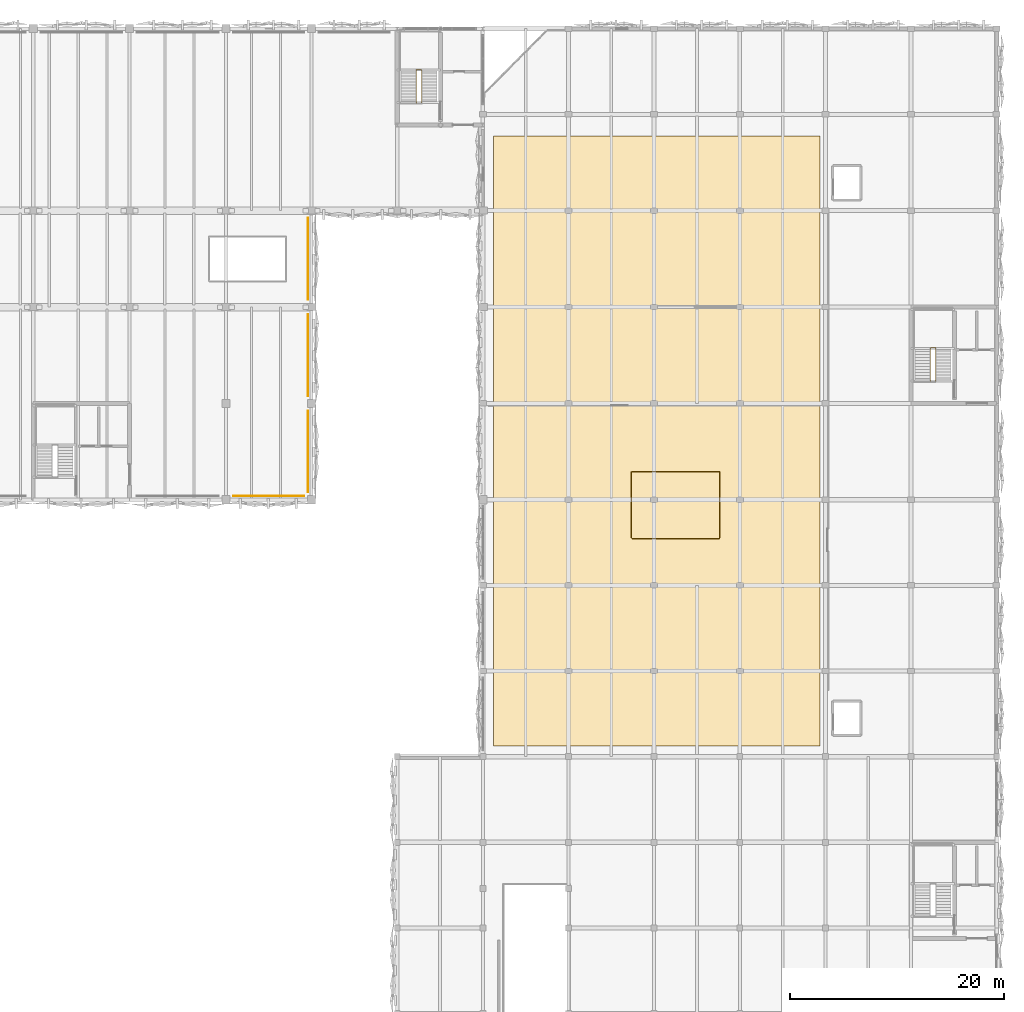
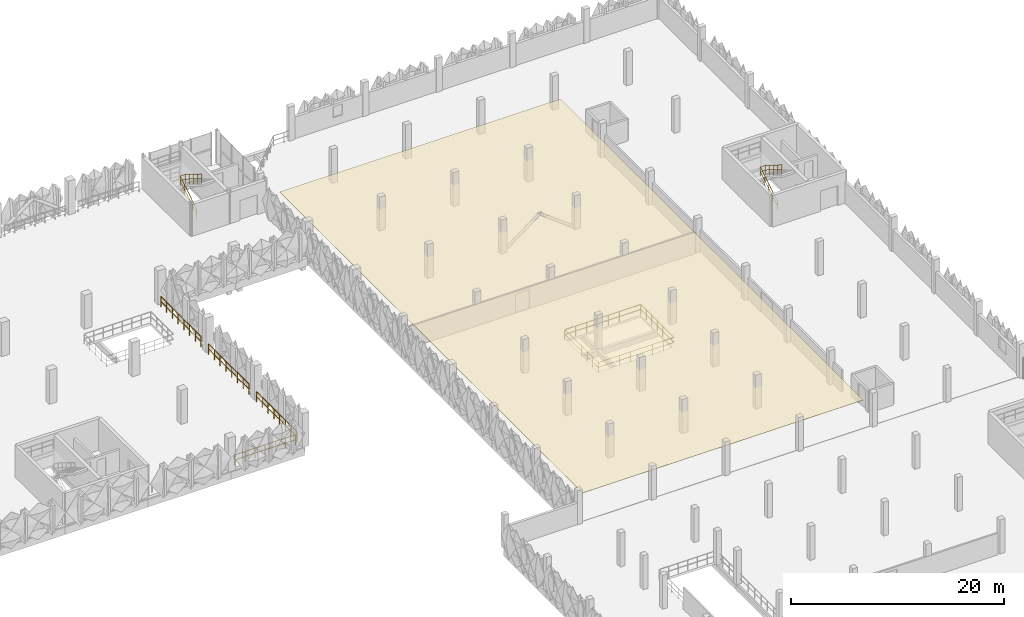
# One storey, part 80 of 83: 7 railings, 1 covering.
"""IFC4 building model written with IfcOpenShell, lengths in metres."""

from ifc_helpers import new_model, si_unit, derived_unit, direction, frame, origin, origin_2d, place, context, subcontext, project, spatial, polyline, circle, outline, extrude, material, layer, layer_set, type_object, element, save


model = new_model("IFC4")

# Units and contexts
model_context = context("Model", 3, precision=1e-05, world=origin(), true_north=direction((0.0, 1.0)))
body_context = subcontext(model_context, "Body", "Model", "MODEL_VIEW")
ifc_project = project(units=[si_unit("LENGTHUNIT", "METRE"), si_unit("AREAUNIT", "SQUARE_METRE"), si_unit("VOLUMEUNIT", "CUBIC_METRE"), si_unit("PLANEANGLEUNIT", "RADIAN"), si_unit("MASSUNIT", "GRAM", prefix="KILO"), si_unit("THERMODYNAMICTEMPERATUREUNIT", "KELVIN"), derived_unit("THERMALTRANSMITTANCEUNIT", [(si_unit("POWERUNIT", "WATT"), 1), (si_unit("AREAUNIT", "SQUARE_METRE"), -1), (si_unit("THERMODYNAMICTEMPERATUREUNIT", "KELVIN"), -1)])], contexts=[model_context])

# Site, building, storey
site_placement = place(None, origin())
site = spatial("IfcSite", under=ifc_project, at=site_placement, CompositionType="ELEMENT")
building_placement = place(site_placement, origin())
building = spatial("IfcBuilding", under=site, at=building_placement, Name="Haiyu Intermodal Mobility Hub", CompositionType="ELEMENT")
storey_placement = place(building_placement, frame((0.0, 0.0, 13.39990234375)))
storey = spatial("IfcBuildingStorey", under=building, at=storey_placement, Name="L03", CompositionType="ELEMENT", Elevation=13.39990234375)

# Covering
ifc_material_1 = material(Name="Champagne perforated aluminium 6063-T6", Category="aluminium")
ifc_layer = layer(ifc_material_1, 0.139892578125)
ifc_layer_set = layer_set([ifc_layer], Name="Champagne perforated aluminium 6063-T6")
covering_type = type_object("IfcCoveringType", Name="COV-CV01", PredefinedType="CLADDING", material=ifc_layer_set)
covering_placement = place(storey_placement, frame((0.0, 0.0, 2.400146484375)))
element("IfcCovering", 1, at=covering_placement, inside=storey, type_object=covering_type, Name="COV-CEIL-005", PredefinedType="CLADDING", context=body_context, shape_type="SweptSolid", body=[
    extrude(outline(polyline([(163.0, 81.0), (193.5, 81.0), (193.5, 138.0), (163.0, 138.0), (163.0, 81.0)])), origin(), (0.0, 0.0, 1.0), 0.044921875),
])

# Railings
ifc_material_2 = material(Name="Steel Q355C", Category="steel")
railing_type_1 = type_object("IfcRailingType", Name="RAL-GR01", PredefinedType="GUARDRAIL", material=ifc_material_2)
railing_1_placement = place(storey_placement, frame((145.659912109375, 104.699951171875, 0.0)))
element("IfcRailing", 2, at=railing_1_placement, inside=storey, type_object=railing_type_1, Name="RAL-CAR-E-0099", PredefinedType="GUARDRAIL", context=body_context, shape_type="SweptSolid", body=[
    extrude(circle(Radius=0.02392578125, at=origin_2d()), frame((0.0, 0.030029296875, 1.17578125), z_axis=(0.0, 1.0, 0.0), x_axis=(-1.0, 0.0, 0.0)), (0.0, 0.0, 1.0), 7.5400390625),
    extrude(circle(Radius=0.02392578125, at=origin_2d()), frame((0.0, 0.037353515625, 0.60009765625), z_axis=(0.0, 1.0, 0.0), x_axis=(-1.0, 0.0, 0.0)), (0.0, 0.0, 1.0), 1.01123046875),
    extrude(circle(Radius=0.02392578125, at=origin_2d()), frame((0.0, 1.123046875, 0.60009765625), z_axis=(0.0, 1.0, 0.0), x_axis=(-1.0, 0.0, 0.0)), (0.0, 0.0, 1.0), 1.01123046875),
    extrude(circle(Radius=0.02392578125, at=origin_2d()), frame((0.0, 2.208740234375, 0.60009765625), z_axis=(0.0, 1.0, 0.0), x_axis=(-1.0, 0.0, 0.0)), (0.0, 0.0, 1.0), 1.01123046875),
    extrude(circle(Radius=0.02392578125, at=origin_2d()), frame((0.0, 3.29443359375, 0.60009765625), z_axis=(0.0, 1.0, 0.0), x_axis=(-1.0, 0.0, 0.0)), (0.0, 0.0, 1.0), 1.01123046875),
    extrude(circle(Radius=0.02392578125, at=origin_2d()), frame((0.0, 4.380126953125, 0.60009765625), z_axis=(0.0, 1.0, 0.0), x_axis=(-1.0, 0.0, 0.0)), (0.0, 0.0, 1.0), 1.01123046875),
    extrude(circle(Radius=0.02392578125, at=origin_2d()), frame((0.0, 5.4658203125, 0.60009765625), z_axis=(0.0, 1.0, 0.0), x_axis=(-1.0, 0.0, 0.0)), (0.0, 0.0, 1.0), 1.01123046875),
    extrude(circle(Radius=0.02392578125, at=origin_2d()), frame((0.0, 6.5517578125, 0.60009765625), z_axis=(0.0, 1.0, 0.0), x_axis=(-1.0, 0.0, 0.0)), (0.0, 0.0, 1.0), 1.01123046875),
    extrude(circle(Radius=0.02099609375, at=origin_2d()), origin(), (0.0, 0.0, 1.0), 1.143798828125),
    extrude(circle(Radius=0.02099609375, at=origin_2d()), frame((0.0, 1.085693359375, 0.0)), (0.0, 0.0, 1.0), 1.143798828125),
    extrude(circle(Radius=0.02099609375, at=origin_2d()), frame((0.0, 2.17138671875, 0.0)), (0.0, 0.0, 1.0), 1.143798828125),
    extrude(circle(Radius=0.02099609375, at=origin_2d()), frame((0.0, 3.257080078125, 0.0)), (0.0, 0.0, 1.0), 1.143798828125),
    extrude(circle(Radius=0.02099609375, at=origin_2d()), frame((0.0, 4.343017578125, 0.0)), (0.0, 0.0, 1.0), 1.143798828125),
    extrude(circle(Radius=0.02099609375, at=origin_2d()), frame((0.0, 5.4287109375, 0.0)), (0.0, 0.0, 1.0), 1.143798828125),
    extrude(circle(Radius=0.02099609375, at=origin_2d()), frame((0.0, 6.514404296875, 0.0)), (0.0, 0.0, 1.0), 1.143798828125),
    extrude(circle(Radius=0.02099609375, at=origin_2d()), frame((0.0, 7.60009765625, 0.0)), (0.0, 0.0, 1.0), 1.143798828125),
])
railing_2_placement = place(storey_placement, frame((145.659912109375, 113.699951171875, 0.0)))
element("IfcRailing", 3, at=railing_2_placement, inside=storey, type_object=railing_type_1, Name="RAL-CAR-E-0100", PredefinedType="GUARDRAIL", context=body_context, shape_type="SweptSolid", body=[
    extrude(circle(Radius=0.02392578125, at=origin_2d()), frame((0.0, 0.030029296875, 1.17578125), z_axis=(0.0, 1.0, 0.0), x_axis=(-1.0, 0.0, 0.0)), (0.0, 0.0, 1.0), 7.5400390625),
    extrude(circle(Radius=0.02392578125, at=origin_2d()), frame((0.0, 0.037353515625, 0.60009765625), z_axis=(0.0, 1.0, 0.0), x_axis=(-1.0, 0.0, 0.0)), (0.0, 0.0, 1.0), 1.01123046875),
    extrude(circle(Radius=0.02392578125, at=origin_2d()), frame((0.0, 1.123046875, 0.60009765625), z_axis=(0.0, 1.0, 0.0), x_axis=(-1.0, 0.0, 0.0)), (0.0, 0.0, 1.0), 1.01123046875),
    extrude(circle(Radius=0.02392578125, at=origin_2d()), frame((0.0, 2.208740234375, 0.60009765625), z_axis=(0.0, 1.0, 0.0), x_axis=(-1.0, 0.0, 0.0)), (0.0, 0.0, 1.0), 1.01123046875),
    extrude(circle(Radius=0.02392578125, at=origin_2d()), frame((0.0, 3.29443359375, 0.60009765625), z_axis=(0.0, 1.0, 0.0), x_axis=(-1.0, 0.0, 0.0)), (0.0, 0.0, 1.0), 1.01123046875),
    extrude(circle(Radius=0.02392578125, at=origin_2d()), frame((0.0, 4.380126953125, 0.60009765625), z_axis=(0.0, 1.0, 0.0), x_axis=(-1.0, 0.0, 0.0)), (0.0, 0.0, 1.0), 1.01123046875),
    extrude(circle(Radius=0.02392578125, at=origin_2d()), frame((0.0, 5.4658203125, 0.60009765625), z_axis=(0.0, 1.0, 0.0), x_axis=(-1.0, 0.0, 0.0)), (0.0, 0.0, 1.0), 1.01123046875),
    extrude(circle(Radius=0.02392578125, at=origin_2d()), frame((0.0, 6.5517578125, 0.60009765625), z_axis=(0.0, 1.0, 0.0), x_axis=(-1.0, 0.0, 0.0)), (0.0, 0.0, 1.0), 1.01123046875),
    extrude(circle(Radius=0.02099609375, at=origin_2d()), origin(), (0.0, 0.0, 1.0), 1.143798828125),
    extrude(circle(Radius=0.02099609375, at=origin_2d()), frame((0.0, 1.085693359375, 0.0)), (0.0, 0.0, 1.0), 1.143798828125),
    extrude(circle(Radius=0.02099609375, at=origin_2d()), frame((0.0, 2.17138671875, 0.0)), (0.0, 0.0, 1.0), 1.143798828125),
    extrude(circle(Radius=0.02099609375, at=origin_2d()), frame((0.0, 3.257080078125, 0.0)), (0.0, 0.0, 1.0), 1.143798828125),
    extrude(circle(Radius=0.02099609375, at=origin_2d()), frame((0.0, 4.343017578125, 0.0)), (0.0, 0.0, 1.0), 1.143798828125),
    extrude(circle(Radius=0.02099609375, at=origin_2d()), frame((0.0, 5.4287109375, 0.0)), (0.0, 0.0, 1.0), 1.143798828125),
    extrude(circle(Radius=0.02099609375, at=origin_2d()), frame((0.0, 6.514404296875, 0.0)), (0.0, 0.0, 1.0), 1.143798828125),
    extrude(circle(Radius=0.02099609375, at=origin_2d()), frame((0.0, 7.60009765625, 0.0)), (0.0, 0.0, 1.0), 1.143798828125),
])
railing_3_placement = place(storey_placement, frame((145.659912109375, 122.699951171875, 0.0)))
element("IfcRailing", 4, at=railing_3_placement, inside=storey, type_object=railing_type_1, Name="RAL-CAR-E-0101", PredefinedType="GUARDRAIL", context=body_context, shape_type="SweptSolid", body=[
    extrude(circle(Radius=0.02392578125, at=origin_2d()), frame((0.0, 0.030029296875, 1.17578125), z_axis=(0.0, 1.0, 0.0), x_axis=(-1.0, 0.0, 0.0)), (0.0, 0.0, 1.0), 7.5400390625),
    extrude(circle(Radius=0.02392578125, at=origin_2d()), frame((0.0, 0.037353515625, 0.60009765625), z_axis=(0.0, 1.0, 0.0), x_axis=(-1.0, 0.0, 0.0)), (0.0, 0.0, 1.0), 1.01123046875),
    extrude(circle(Radius=0.02392578125, at=origin_2d()), frame((0.0, 1.123046875, 0.60009765625), z_axis=(0.0, 1.0, 0.0), x_axis=(-1.0, 0.0, 0.0)), (0.0, 0.0, 1.0), 1.01123046875),
    extrude(circle(Radius=0.02392578125, at=origin_2d()), frame((0.0, 2.208740234375, 0.60009765625), z_axis=(0.0, 1.0, 0.0), x_axis=(-1.0, 0.0, 0.0)), (0.0, 0.0, 1.0), 1.01123046875),
    extrude(circle(Radius=0.02392578125, at=origin_2d()), frame((0.0, 3.29443359375, 0.60009765625), z_axis=(0.0, 1.0, 0.0), x_axis=(-1.0, 0.0, 0.0)), (0.0, 0.0, 1.0), 1.01123046875),
    extrude(circle(Radius=0.02392578125, at=origin_2d()), frame((0.0, 4.380126953125, 0.60009765625), z_axis=(0.0, 1.0, 0.0), x_axis=(-1.0, 0.0, 0.0)), (0.0, 0.0, 1.0), 1.01123046875),
    extrude(circle(Radius=0.02392578125, at=origin_2d()), frame((0.0, 5.4658203125, 0.60009765625), z_axis=(0.0, 1.0, 0.0), x_axis=(-1.0, 0.0, 0.0)), (0.0, 0.0, 1.0), 1.01123046875),
    extrude(circle(Radius=0.02392578125, at=origin_2d()), frame((0.0, 6.5517578125, 0.60009765625), z_axis=(0.0, 1.0, 0.0), x_axis=(-1.0, 0.0, 0.0)), (0.0, 0.0, 1.0), 1.01123046875),
    extrude(circle(Radius=0.02099609375, at=origin_2d()), origin(), (0.0, 0.0, 1.0), 1.143798828125),
    extrude(circle(Radius=0.02099609375, at=origin_2d()), frame((0.0, 1.085693359375, 0.0)), (0.0, 0.0, 1.0), 1.143798828125),
    extrude(circle(Radius=0.02099609375, at=origin_2d()), frame((0.0, 2.17138671875, 0.0)), (0.0, 0.0, 1.0), 1.143798828125),
    extrude(circle(Radius=0.02099609375, at=origin_2d()), frame((0.0, 3.257080078125, 0.0)), (0.0, 0.0, 1.0), 1.143798828125),
    extrude(circle(Radius=0.02099609375, at=origin_2d()), frame((0.0, 4.343017578125, 0.0)), (0.0, 0.0, 1.0), 1.143798828125),
    extrude(circle(Radius=0.02099609375, at=origin_2d()), frame((0.0, 5.4287109375, 0.0)), (0.0, 0.0, 1.0), 1.143798828125),
    extrude(circle(Radius=0.02099609375, at=origin_2d()), frame((0.0, 6.514404296875, 0.0)), (0.0, 0.0, 1.0), 1.143798828125),
    extrude(circle(Radius=0.02099609375, at=origin_2d()), frame((0.0, 7.60009765625, 0.0)), (0.0, 0.0, 1.0), 1.143798828125),
])
railing_4_placement = place(storey_placement, frame((138.699951171875, 104.340087890625, 0.0)))
element("IfcRailing", 5, at=railing_4_placement, inside=storey, type_object=railing_type_1, Name="RAL-CAR-S-0146", PredefinedType="GUARDRAIL", context=body_context, shape_type="SweptSolid", body=[
    extrude(circle(Radius=0.02392578125, at=origin_2d()), frame((0.030029296875, 0.0, 1.17578125), z_axis=(1.0, 0.0, 0.0), x_axis=(0.0, 1.0, 0.0)), (0.0, 0.0, 1.0), 6.5400390625),
    extrude(circle(Radius=0.02392578125, at=origin_2d()), frame((0.037353515625, 0.0, 0.60009765625), z_axis=(1.0, 0.0, 0.0), x_axis=(0.0, 1.0, 0.0)), (0.0, 0.0, 1.0), 1.025390625),
    extrude(circle(Radius=0.02392578125, at=origin_2d()), frame((1.13720703125, 0.0, 0.60009765625), z_axis=(1.0, 0.0, 0.0), x_axis=(0.0, 1.0, 0.0)), (0.0, 0.0, 1.0), 1.025390625),
    extrude(circle(Radius=0.02392578125, at=origin_2d()), frame((2.2373046875, 0.0, 0.60009765625), z_axis=(1.0, 0.0, 0.0), x_axis=(0.0, 1.0, 0.0)), (0.0, 0.0, 1.0), 1.025390625),
    extrude(circle(Radius=0.02392578125, at=origin_2d()), frame((3.33740234375, 0.0, 0.60009765625), z_axis=(1.0, 0.0, 0.0), x_axis=(0.0, 1.0, 0.0)), (0.0, 0.0, 1.0), 1.025390625),
    extrude(circle(Radius=0.02392578125, at=origin_2d()), frame((4.437255859375, 0.0, 0.60009765625), z_axis=(1.0, 0.0, 0.0), x_axis=(0.0, 1.0, 0.0)), (0.0, 0.0, 1.0), 1.025390625),
    extrude(circle(Radius=0.02392578125, at=origin_2d()), frame((5.537353515625, 0.0, 0.60009765625), z_axis=(1.0, 0.0, 0.0), x_axis=(0.0, 1.0, 0.0)), (0.0, 0.0, 1.0), 1.025390625),
    extrude(circle(Radius=0.02099609375, at=origin_2d()), origin(), (0.0, 0.0, 1.0), 1.143798828125),
    extrude(circle(Radius=0.02099609375, at=origin_2d()), frame((1.10009765625, 0.0, 0.0)), (0.0, 0.0, 1.0), 1.143798828125),
    extrude(circle(Radius=0.02099609375, at=origin_2d()), frame((2.199951171875, 0.0, 0.0)), (0.0, 0.0, 1.0), 1.143798828125),
    extrude(circle(Radius=0.02099609375, at=origin_2d()), frame((3.300048828125, 0.0, 0.0)), (0.0, 0.0, 1.0), 1.143798828125),
    extrude(circle(Radius=0.02099609375, at=origin_2d()), frame((4.400146484375, 0.0, 0.0)), (0.0, 0.0, 1.0), 1.143798828125),
    extrude(circle(Radius=0.02099609375, at=origin_2d()), frame((5.5, 0.0, 0.0)), (0.0, 0.0, 1.0), 1.143798828125),
    extrude(circle(Radius=0.02099609375, at=origin_2d()), frame((6.60009765625, 0.0, 0.0)), (0.0, 0.0, 1.0), 1.143798828125),
])
railing_5_placement = place(storey_placement, frame((175.8798828125, 100.3798828125, 0.0)))
element("IfcRailing", 6, at=railing_5_placement, inside=storey, type_object=railing_type_1, Name="RAL-V6VOID-L03", PredefinedType="GUARDRAIL", context=body_context, shape_type="SweptSolid", body=[
    extrude(circle(Radius=0.02392578125, at=origin_2d()), frame((0.030029296875, 0.0, 1.15576171875), z_axis=(1.0, 0.0, 0.0), x_axis=(0.0, 1.0, 0.0)), (0.0, 0.0, 1.0), 8.18017578125),
    extrude(circle(Radius=0.02392578125, at=origin_2d()), frame((0.037353515625, 0.0, 0.58984375), z_axis=(1.0, 0.0, 0.0), x_axis=(0.0, 1.0, 0.0)), (0.0, 0.0, 1.0), 1.1025390625),
    extrude(circle(Radius=0.02392578125, at=origin_2d()), frame((1.21435546875, 0.0, 0.58984375), z_axis=(1.0, 0.0, 0.0), x_axis=(0.0, 1.0, 0.0)), (0.0, 0.0, 1.0), 1.1025390625),
    extrude(circle(Radius=0.02392578125, at=origin_2d()), frame((2.3916015625, 0.0, 0.58984375), z_axis=(1.0, 0.0, 0.0), x_axis=(0.0, 1.0, 0.0)), (0.0, 0.0, 1.0), 1.1025390625),
    extrude(circle(Radius=0.02392578125, at=origin_2d()), frame((3.56884765625, 0.0, 0.58984375), z_axis=(1.0, 0.0, 0.0), x_axis=(0.0, 1.0, 0.0)), (0.0, 0.0, 1.0), 1.1025390625),
    extrude(circle(Radius=0.02392578125, at=origin_2d()), frame((4.74609375, 0.0, 0.58984375), z_axis=(1.0, 0.0, 0.0), x_axis=(0.0, 1.0, 0.0)), (0.0, 0.0, 1.0), 1.1025390625),
    extrude(circle(Radius=0.02392578125, at=origin_2d()), frame((5.923095703125, 0.0, 0.58984375), z_axis=(1.0, 0.0, 0.0), x_axis=(0.0, 1.0, 0.0)), (0.0, 0.0, 1.0), 1.1025390625),
    extrude(circle(Radius=0.02392578125, at=origin_2d()), frame((7.100341796875, 0.0, 0.58984375), z_axis=(1.0, 0.0, 0.0), x_axis=(0.0, 1.0, 0.0)), (0.0, 0.0, 1.0), 1.1025390625),
    extrude(circle(Radius=0.02392578125, at=origin_2d()), frame((8.240234375, 0.030029296875, 1.15576171875), z_axis=(0.0, 1.0, 0.0), x_axis=(-1.0, 0.0, 0.0)), (0.0, 0.0, 1.0), 6.18017578125),
    extrude(circle(Radius=0.02392578125, at=origin_2d()), frame((8.240234375, 0.037353515625, 0.58984375), z_axis=(0.0, 1.0, 0.0), x_axis=(-1.0, 0.0, 0.0)), (0.0, 0.0, 1.0), 0.96533203125),
    extrude(circle(Radius=0.02392578125, at=origin_2d()), frame((8.240234375, 1.077392578125, 0.58984375), z_axis=(0.0, 1.0, 0.0), x_axis=(-1.0, 0.0, 0.0)), (0.0, 0.0, 1.0), 0.96533203125),
    extrude(circle(Radius=0.02392578125, at=origin_2d()), frame((8.240234375, 2.117431640625, 0.58984375), z_axis=(0.0, 1.0, 0.0), x_axis=(-1.0, 0.0, 0.0)), (0.0, 0.0, 1.0), 0.96533203125),
    extrude(circle(Radius=0.02392578125, at=origin_2d()), frame((8.240234375, 3.157470703125, 0.58984375), z_axis=(0.0, 1.0, 0.0), x_axis=(-1.0, 0.0, 0.0)), (0.0, 0.0, 1.0), 0.96533203125),
    extrude(circle(Radius=0.02392578125, at=origin_2d()), frame((8.240234375, 4.197509765625, 0.58984375), z_axis=(0.0, 1.0, 0.0), x_axis=(-1.0, 0.0, 0.0)), (0.0, 0.0, 1.0), 0.96533203125),
    extrude(circle(Radius=0.02392578125, at=origin_2d()), frame((8.240234375, 5.237548828125, 0.58984375), z_axis=(0.0, 1.0, 0.0), x_axis=(-1.0, 0.0, 0.0)), (0.0, 0.0, 1.0), 0.96533203125),
    extrude(circle(Radius=0.02392578125, at=origin_2d()), frame((8.210205078125, 6.240234375, 1.15576171875), z_axis=(-1.0, 0.0, 0.0), x_axis=(0.0, -1.0, 0.0)), (0.0, 0.0, 1.0), 8.18017578125),
    extrude(circle(Radius=0.02392578125, at=origin_2d()), frame((8.202880859375, 6.240234375, 0.58984375), z_axis=(-1.0, 0.0, 0.0), x_axis=(0.0, -1.0, 0.0)), (0.0, 0.0, 1.0), 1.1025390625),
    extrude(circle(Radius=0.02392578125, at=origin_2d()), frame((7.02587890625, 6.240234375, 0.58984375), z_axis=(-1.0, 0.0, 0.0), x_axis=(0.0, -1.0, 0.0)), (0.0, 0.0, 1.0), 1.1025390625),
    extrude(circle(Radius=0.02392578125, at=origin_2d()), frame((5.8486328125, 6.240234375, 0.58984375), z_axis=(-1.0, 0.0, 0.0), x_axis=(0.0, -1.0, 0.0)), (0.0, 0.0, 1.0), 1.1025390625),
    extrude(circle(Radius=0.02392578125, at=origin_2d()), frame((4.67138671875, 6.240234375, 0.58984375), z_axis=(-1.0, 0.0, 0.0), x_axis=(0.0, -1.0, 0.0)), (0.0, 0.0, 1.0), 1.1025390625),
    extrude(circle(Radius=0.02392578125, at=origin_2d()), frame((3.494140625, 6.240234375, 0.58984375), z_axis=(-1.0, 0.0, 0.0), x_axis=(0.0, -1.0, 0.0)), (0.0, 0.0, 1.0), 1.1025390625),
    extrude(circle(Radius=0.02392578125, at=origin_2d()), frame((2.317138671875, 6.240234375, 0.58984375), z_axis=(-1.0, 0.0, 0.0), x_axis=(0.0, -1.0, 0.0)), (0.0, 0.0, 1.0), 1.1025390625),
    extrude(circle(Radius=0.02392578125, at=origin_2d()), frame((1.139892578125, 6.240234375, 0.58984375), z_axis=(-1.0, 0.0, 0.0), x_axis=(0.0, -1.0, 0.0)), (0.0, 0.0, 1.0), 1.1025390625),
    extrude(circle(Radius=0.02392578125, at=origin_2d()), frame((0.0, 6.210205078125, 1.15576171875), z_axis=(0.0, -1.0, 0.0), x_axis=(1.0, 0.0, 0.0)), (0.0, 0.0, 1.0), 6.18017578125),
    extrude(circle(Radius=0.02392578125, at=origin_2d()), frame((0.0, 6.202880859375, 0.58984375), z_axis=(0.0, -1.0, 0.0), x_axis=(1.0, 0.0, 0.0)), (0.0, 0.0, 1.0), 0.96533203125),
    extrude(circle(Radius=0.02392578125, at=origin_2d()), frame((0.0, 5.162841796875, 0.58984375), z_axis=(0.0, -1.0, 0.0), x_axis=(1.0, 0.0, 0.0)), (0.0, 0.0, 1.0), 0.96533203125),
    extrude(circle(Radius=0.02392578125, at=origin_2d()), frame((0.0, 4.122802734375, 0.58984375), z_axis=(0.0, -1.0, 0.0), x_axis=(1.0, 0.0, 0.0)), (0.0, 0.0, 1.0), 0.96533203125),
    extrude(circle(Radius=0.02392578125, at=origin_2d()), frame((0.0, 3.082763671875, 0.58984375), z_axis=(0.0, -1.0, 0.0), x_axis=(1.0, 0.0, 0.0)), (0.0, 0.0, 1.0), 0.96533203125),
    extrude(circle(Radius=0.02392578125, at=origin_2d()), frame((0.0, 2.042724609375, 0.58984375), z_axis=(0.0, -1.0, 0.0), x_axis=(1.0, 0.0, 0.0)), (0.0, 0.0, 1.0), 0.96533203125),
    extrude(circle(Radius=0.02392578125, at=origin_2d()), frame((0.0, 1.002685546875, 0.58984375), z_axis=(0.0, -1.0, 0.0), x_axis=(1.0, 0.0, 0.0)), (0.0, 0.0, 1.0), 0.96533203125),
    extrude(circle(Radius=0.02099609375, at=origin_2d()), origin(), (0.0, 0.0, 1.0), 1.123779296875),
    extrude(circle(Radius=0.02099609375, at=origin_2d()), frame((1.17724609375, 0.0, 0.0)), (0.0, 0.0, 1.0), 1.123779296875),
    extrude(circle(Radius=0.02099609375, at=origin_2d()), frame((2.354248046875, 0.0, 0.0)), (0.0, 0.0, 1.0), 1.123779296875),
    extrude(circle(Radius=0.02099609375, at=origin_2d()), frame((3.531494140625, 0.0, 0.0)), (0.0, 0.0, 1.0), 1.123779296875),
    extrude(circle(Radius=0.02099609375, at=origin_2d()), frame((4.708740234375, 0.0, 0.0)), (0.0, 0.0, 1.0), 1.123779296875),
    extrude(circle(Radius=0.02099609375, at=origin_2d()), frame((5.885986328125, 0.0, 0.0)), (0.0, 0.0, 1.0), 1.123779296875),
    extrude(circle(Radius=0.02099609375, at=origin_2d()), frame((7.06298828125, 0.0, 0.0)), (0.0, 0.0, 1.0), 1.123779296875),
    extrude(circle(Radius=0.02099609375, at=origin_2d()), frame((8.240234375, 0.0, 0.0)), (0.0, 0.0, 1.0), 1.123779296875),
    extrude(circle(Radius=0.02099609375, at=origin_2d()), frame((8.240234375, 1.0400390625, 0.0)), (0.0, 0.0, 1.0), 1.123779296875),
    extrude(circle(Radius=0.02099609375, at=origin_2d()), frame((8.240234375, 2.080078125, 0.0)), (0.0, 0.0, 1.0), 1.123779296875),
    extrude(circle(Radius=0.02099609375, at=origin_2d()), frame((8.240234375, 3.1201171875, 0.0)), (0.0, 0.0, 1.0), 1.123779296875),
    extrude(circle(Radius=0.02099609375, at=origin_2d()), frame((8.240234375, 4.16015625, 0.0)), (0.0, 0.0, 1.0), 1.123779296875),
    extrude(circle(Radius=0.02099609375, at=origin_2d()), frame((8.240234375, 5.2001953125, 0.0)), (0.0, 0.0, 1.0), 1.123779296875),
    extrude(circle(Radius=0.02099609375, at=origin_2d()), frame((8.240234375, 6.240234375, 0.0)), (0.0, 0.0, 1.0), 1.123779296875),
    extrude(circle(Radius=0.02099609375, at=origin_2d()), frame((7.06298828125, 6.240234375, 0.0)), (0.0, 0.0, 1.0), 1.123779296875),
    extrude(circle(Radius=0.02099609375, at=origin_2d()), frame((5.885986328125, 6.240234375, 0.0)), (0.0, 0.0, 1.0), 1.123779296875),
    extrude(circle(Radius=0.02099609375, at=origin_2d()), frame((4.708740234375, 6.240234375, 0.0)), (0.0, 0.0, 1.0), 1.123779296875),
    extrude(circle(Radius=0.02099609375, at=origin_2d()), frame((3.531494140625, 6.240234375, 0.0)), (0.0, 0.0, 1.0), 1.123779296875),
    extrude(circle(Radius=0.02099609375, at=origin_2d()), frame((2.354248046875, 6.240234375, 0.0)), (0.0, 0.0, 1.0), 1.123779296875),
    extrude(circle(Radius=0.02099609375, at=origin_2d()), frame((1.17724609375, 6.240234375, 0.0)), (0.0, 0.0, 1.0), 1.123779296875),
    extrude(circle(Radius=0.02099609375, at=origin_2d()), frame((0.0, 6.240234375, 0.0)), (0.0, 0.0, 1.0), 1.123779296875),
    extrude(circle(Radius=0.02099609375, at=origin_2d()), frame((0.0, 5.2001953125, 0.0)), (0.0, 0.0, 1.0), 1.123779296875),
    extrude(circle(Radius=0.02099609375, at=origin_2d()), frame((0.0, 4.16015625, 0.0)), (0.0, 0.0, 1.0), 1.123779296875),
    extrude(circle(Radius=0.02099609375, at=origin_2d()), frame((0.0, 3.1201171875, 0.0)), (0.0, 0.0, 1.0), 1.123779296875),
    extrude(circle(Radius=0.02099609375, at=origin_2d()), frame((0.0, 2.080078125, 0.0)), (0.0, 0.0, 1.0), 1.123779296875),
    extrude(circle(Radius=0.02099609375, at=origin_2d()), frame((0.0, 1.0400390625, 0.0)), (0.0, 0.0, 1.0), 1.123779296875),
])
railing_type_2 = type_object("IfcRailingType", Name="RAL-GR03", PredefinedType="GUARDRAIL", material=ifc_material_2)
railing_6_placement = place(storey_placement, frame((155.780029296875, 141.050048828125, 0.0)))
element("IfcRailing", 7, at=railing_6_placement, inside=storey, type_object=railing_type_2, Name="Stair Well Guard STR-C4-L03", PredefinedType="GUARDRAIL", context=body_context, shape_type="SweptSolid", body=[
    extrude(circle(Radius=0.02392578125, at=origin_2d()), frame((0.0, 0.025390625, 1.11181640625), z_axis=(0.0, 0.84872648218, 0.528832070176), x_axis=(-1.0, 0.0, 0.0)), (0.0, 0.0, 1.0), 3.627685546875),
    extrude(circle(Radius=0.02392578125, at=origin_2d()), frame((0.0, 0.03173828125, 0.579833984375), z_axis=(0.0, 0.84872648218, 0.528832070176), x_axis=(-1.0, 0.0, 0.0)), (0.0, 0.0, 1.0), 0.847412109375),
    extrude(circle(Radius=0.02392578125, at=origin_2d()), frame((0.0, 0.814208984375, 1.0673828125), z_axis=(0.0, 0.84872648218, 0.528832070176), x_axis=(-1.0, 0.0, 0.0)), (0.0, 0.0, 1.0), 0.847412109375),
    extrude(circle(Radius=0.02392578125, at=origin_2d()), frame((0.0, 1.5966796875, 1.554931640625), z_axis=(0.0, 0.84872648218, 0.528832070176), x_axis=(-1.0, 0.0, 0.0)), (0.0, 0.0, 1.0), 0.847412109375),
    extrude(circle(Radius=0.02392578125, at=origin_2d()), frame((0.0, 2.379150390625, 2.04248046875), z_axis=(0.0, 0.84872648218, 0.528832070176), x_axis=(-1.0, 0.0, 0.0)), (0.0, 0.0, 1.0), 0.847412109375),
    extrude(circle(Radius=0.02392578125, at=origin_2d()), frame((0.030029296875, 3.1298828125, 3.04638671875), z_axis=(1.0, 0.0, 0.0), x_axis=(0.0, 1.0, 0.0)), (0.0, 0.0, 1.0), 0.469970703125),
    extrude(circle(Radius=0.02392578125, at=origin_2d()), frame((0.037353515625, 3.1298828125, 2.51025390625), z_axis=(1.0, 0.0, 0.0), x_axis=(0.0, 1.0, 0.0)), (0.0, 0.0, 1.0), 0.455322265625),
    extrude(circle(Radius=0.02392578125, at=origin_2d()), frame((0.530029296875, 3.1044921875, 3.06201171875), z_axis=(0.0, -0.848756196164, 0.528784378999), x_axis=(1.0, 0.0, 0.0)), (0.0, 0.0, 1.0), 3.627685546875),
    extrude(circle(Radius=0.02392578125, at=origin_2d()), frame((0.530029296875, 3.09814453125, 2.530029296875), z_axis=(0.0, -0.848756196164, 0.528784378999), x_axis=(1.0, 0.0, 0.0)), (0.0, 0.0, 1.0), 0.847412109375),
    extrude(circle(Radius=0.02392578125, at=origin_2d()), frame((0.530029296875, 2.315673828125, 3.017578125), z_axis=(0.0, -0.848756196164, 0.528784378999), x_axis=(1.0, 0.0, 0.0)), (0.0, 0.0, 1.0), 0.847412109375),
    extrude(circle(Radius=0.02392578125, at=origin_2d()), frame((0.530029296875, 1.533203125, 3.5048828125), z_axis=(0.0, -0.848756196164, 0.528784378999), x_axis=(1.0, 0.0, 0.0)), (0.0, 0.0, 1.0), 0.847412109375),
    extrude(circle(Radius=0.02392578125, at=origin_2d()), frame((0.530029296875, 0.750732421875, 3.992431640625), z_axis=(0.0, -0.848756196164, 0.528784378999), x_axis=(1.0, 0.0, 0.0)), (0.0, 0.0, 1.0), 0.847412109375),
    extrude(circle(Radius=0.02099609375, at=origin_2d()), origin(), (0.0, 0.0, 1.0), 1.06396484375),
    extrude(circle(Radius=0.02099609375, at=origin_2d()), frame((0.0, 0.782470703125, 0.487548828125)), (0.0, 0.0, 1.0), 1.06396484375),
    extrude(circle(Radius=0.02099609375, at=origin_2d()), frame((0.0, 1.56494140625, 0.97509765625)), (0.0, 0.0, 1.0), 1.06396484375),
    extrude(circle(Radius=0.02099609375, at=origin_2d()), frame((0.0, 2.347412109375, 1.462646484375)), (0.0, 0.0, 1.0), 1.06396484375),
    extrude(circle(Radius=0.02099609375, at=origin_2d()), frame((0.0, 3.1298828125, 1.9501953125)), (0.0, 0.0, 1.0), 1.06396484375),
    extrude(circle(Radius=0.02099609375, at=origin_2d()), frame((0.530029296875, 3.1298828125, 1.9501953125)), (0.0, 0.0, 1.0), 1.06396484375),
    extrude(circle(Radius=0.02099609375, at=origin_2d()), frame((0.530029296875, 2.347412109375, 2.437744140625)), (0.0, 0.0, 1.0), 1.06396484375),
    extrude(circle(Radius=0.02099609375, at=origin_2d()), frame((0.530029296875, 1.56494140625, 2.92529296875)), (0.0, 0.0, 1.0), 1.06396484375),
    extrude(circle(Radius=0.02099609375, at=origin_2d()), frame((0.530029296875, 0.782470703125, 3.41259765625)), (0.0, 0.0, 1.0), 1.06396484375),
    extrude(circle(Radius=0.02099609375, at=origin_2d()), frame((0.530029296875, 0.0, 3.900146484375)), (0.0, 0.0, 1.0), 1.06396484375),
])
railing_7_placement = place(storey_placement, frame((203.780029296875, 115.050048828125, 0.0)))
element("IfcRailing", 8, at=railing_7_placement, inside=storey, type_object=railing_type_2, Name="Stair Well Guard STR-C10-L03", PredefinedType="GUARDRAIL", context=body_context, shape_type="SweptSolid", body=[
    extrude(circle(Radius=0.02392578125, at=origin_2d()), frame((0.0, 0.025390625, 1.11181640625), z_axis=(0.0, 0.84872648218, 0.528832070176), x_axis=(-1.0, 0.0, 0.0)), (0.0, 0.0, 1.0), 3.627685546875),
    extrude(circle(Radius=0.02392578125, at=origin_2d()), frame((0.0, 0.03173828125, 0.579833984375), z_axis=(0.0, 0.84872648218, 0.528832070176), x_axis=(-1.0, 0.0, 0.0)), (0.0, 0.0, 1.0), 0.847412109375),
    extrude(circle(Radius=0.02392578125, at=origin_2d()), frame((0.0, 0.814208984375, 1.0673828125), z_axis=(0.0, 0.84872648218, 0.528832070176), x_axis=(-1.0, 0.0, 0.0)), (0.0, 0.0, 1.0), 0.847412109375),
    extrude(circle(Radius=0.02392578125, at=origin_2d()), frame((0.0, 1.5966796875, 1.554931640625), z_axis=(0.0, 0.84872648218, 0.528832070176), x_axis=(-1.0, 0.0, 0.0)), (0.0, 0.0, 1.0), 0.847412109375),
    extrude(circle(Radius=0.02392578125, at=origin_2d()), frame((0.0, 2.379150390625, 2.04248046875), z_axis=(0.0, 0.84872648218, 0.528832070176), x_axis=(-1.0, 0.0, 0.0)), (0.0, 0.0, 1.0), 0.847412109375),
    extrude(circle(Radius=0.02392578125, at=origin_2d()), frame((0.030029296875, 3.1298828125, 3.04638671875), z_axis=(1.0, 0.0, 0.0), x_axis=(0.0, 1.0, 0.0)), (0.0, 0.0, 1.0), 0.469970703125),
    extrude(circle(Radius=0.02392578125, at=origin_2d()), frame((0.037353515625, 3.1298828125, 2.51025390625), z_axis=(1.0, 0.0, 0.0), x_axis=(0.0, 1.0, 0.0)), (0.0, 0.0, 1.0), 0.455322265625),
    extrude(circle(Radius=0.02392578125, at=origin_2d()), frame((0.530029296875, 3.1044921875, 3.06201171875), z_axis=(0.0, -0.848756196164, 0.528784378999), x_axis=(1.0, 0.0, 0.0)), (0.0, 0.0, 1.0), 3.627685546875),
    extrude(circle(Radius=0.02392578125, at=origin_2d()), frame((0.530029296875, 3.09814453125, 2.530029296875), z_axis=(0.0, -0.848756196164, 0.528784378999), x_axis=(1.0, 0.0, 0.0)), (0.0, 0.0, 1.0), 0.847412109375),
    extrude(circle(Radius=0.02392578125, at=origin_2d()), frame((0.530029296875, 2.315673828125, 3.017578125), z_axis=(0.0, -0.848756196164, 0.528784378999), x_axis=(1.0, 0.0, 0.0)), (0.0, 0.0, 1.0), 0.847412109375),
    extrude(circle(Radius=0.02392578125, at=origin_2d()), frame((0.530029296875, 1.533203125, 3.5048828125), z_axis=(0.0, -0.848756196164, 0.528784378999), x_axis=(1.0, 0.0, 0.0)), (0.0, 0.0, 1.0), 0.847412109375),
    extrude(circle(Radius=0.02392578125, at=origin_2d()), frame((0.530029296875, 0.750732421875, 3.992431640625), z_axis=(0.0, -0.848756196164, 0.528784378999), x_axis=(1.0, 0.0, 0.0)), (0.0, 0.0, 1.0), 0.847412109375),
    extrude(circle(Radius=0.02099609375, at=origin_2d()), origin(), (0.0, 0.0, 1.0), 1.06396484375),
    extrude(circle(Radius=0.02099609375, at=origin_2d()), frame((0.0, 0.782470703125, 0.487548828125)), (0.0, 0.0, 1.0), 1.06396484375),
    extrude(circle(Radius=0.02099609375, at=origin_2d()), frame((0.0, 1.56494140625, 0.97509765625)), (0.0, 0.0, 1.0), 1.06396484375),
    extrude(circle(Radius=0.02099609375, at=origin_2d()), frame((0.0, 2.347412109375, 1.462646484375)), (0.0, 0.0, 1.0), 1.06396484375),
    extrude(circle(Radius=0.02099609375, at=origin_2d()), frame((0.0, 3.1298828125, 1.9501953125)), (0.0, 0.0, 1.0), 1.06396484375),
    extrude(circle(Radius=0.02099609375, at=origin_2d()), frame((0.530029296875, 3.1298828125, 1.9501953125)), (0.0, 0.0, 1.0), 1.06396484375),
    extrude(circle(Radius=0.02099609375, at=origin_2d()), frame((0.530029296875, 2.347412109375, 2.437744140625)), (0.0, 0.0, 1.0), 1.06396484375),
    extrude(circle(Radius=0.02099609375, at=origin_2d()), frame((0.530029296875, 1.56494140625, 2.92529296875)), (0.0, 0.0, 1.0), 1.06396484375),
    extrude(circle(Radius=0.02099609375, at=origin_2d()), frame((0.530029296875, 0.782470703125, 3.41259765625)), (0.0, 0.0, 1.0), 1.06396484375),
    extrude(circle(Radius=0.02099609375, at=origin_2d()), frame((0.530029296875, 0.0, 3.900146484375)), (0.0, 0.0, 1.0), 1.06396484375),
])

save(model, "model.ifc")
